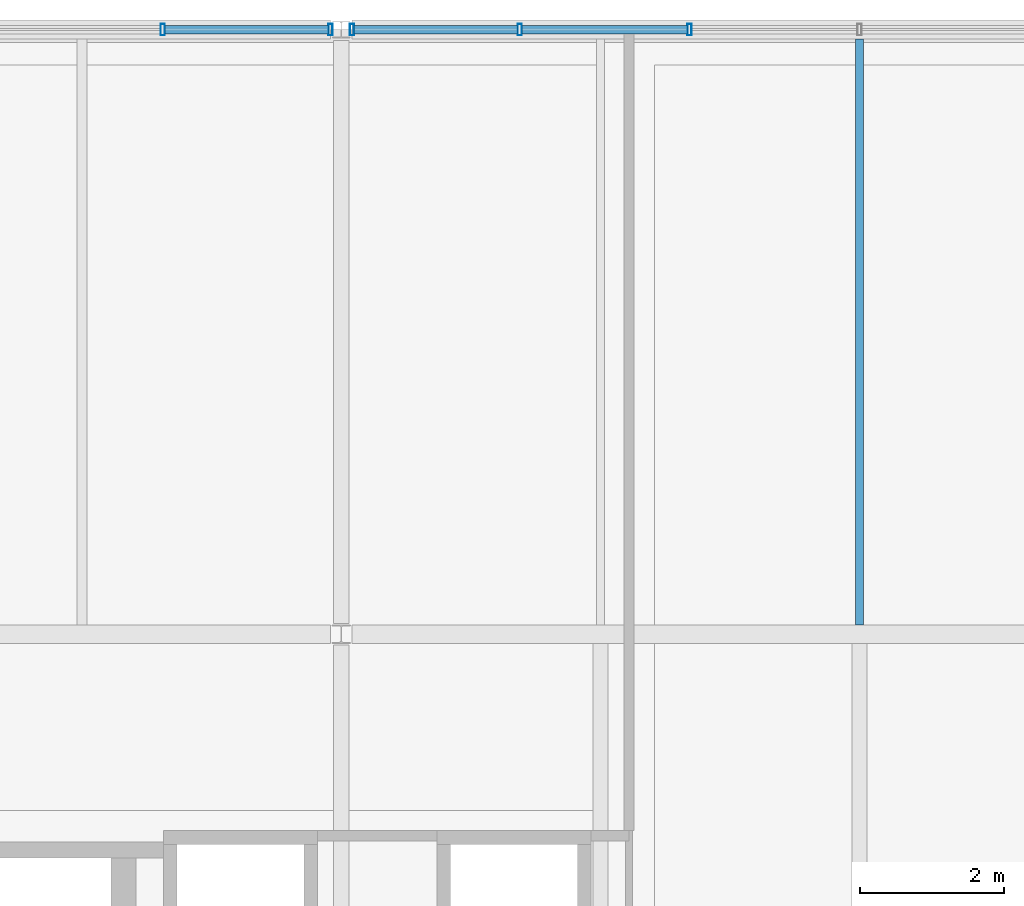
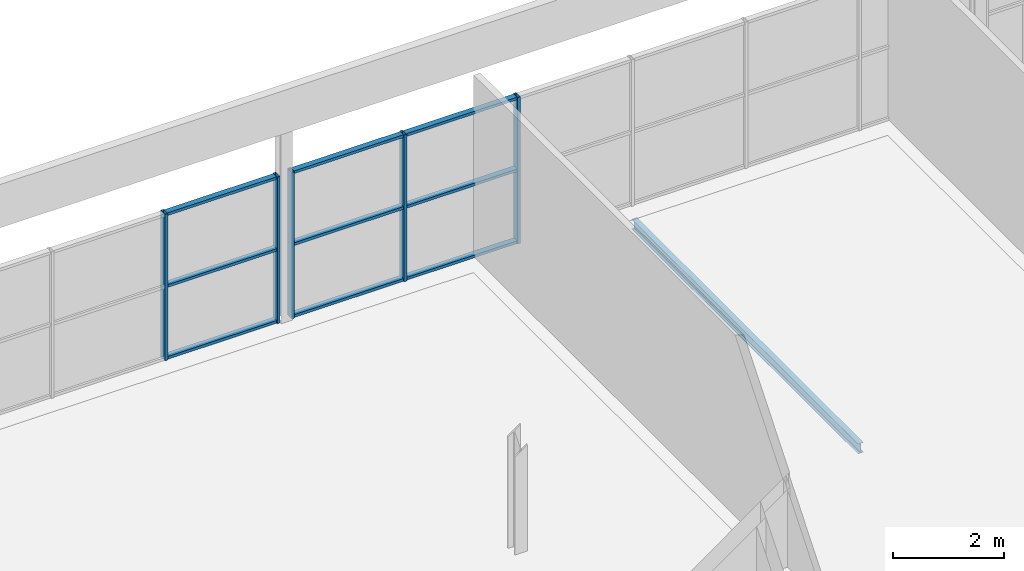
# One storey, part 21 of 43: 14 members, 1 beam, 2 elements without a shape of their own.
"""IFC4 building model written with IfcOpenShell, lengths in metres."""

from ifc_helpers import new_model, si_unit, direction, frame, origin, origin_2d, place, context, subcontext, project, spatial, hollow_rectangle, i_section, extrude, material, material_profile, profile_set, type_object, element, aggregate, save


model = new_model("IFC4")

# Units and contexts
model_context = context("Model", 3, precision=1e-05, world=origin(), true_north=direction((0.0, 1.0)))
body_context = subcontext(model_context, "Body", "Model", "MODEL_VIEW")
ifc_project = project(units=[si_unit("LENGTHUNIT", "METRE"), si_unit("AREAUNIT", "SQUARE_METRE"), si_unit("VOLUMEUNIT", "CUBIC_METRE"), si_unit("PLANEANGLEUNIT", "RADIAN"), si_unit("MASSUNIT", "GRAM", prefix="KILO"), si_unit("THERMODYNAMICTEMPERATUREUNIT", "KELVIN")], contexts=[model_context])

# Site, building, storey
site_placement = place(None, origin())
site = spatial("IfcSite", under=ifc_project, at=site_placement, CompositionType="ELEMENT")
building_placement = place(site_placement, origin())
building = spatial("IfcBuilding", under=site, at=building_placement, Name="Nduvali Passage Aquatics Centre", CompositionType="ELEMENT")
storey_placement = place(building_placement, frame((0.0, 0.0, 17.39990234375)))
storey = spatial("IfcBuildingStorey", under=building, at=storey_placement, Name="L04", CompositionType="ELEMENT", Elevation=17.39990234375)

# Curtain wall, members
ifc_material_1 = material(Name="Aluminium EN AW-6063 T6", Category="aluminium")
curtain_wall_type = type_object("IfcCurtainWallType", Name="ENV-CW-WELL", PredefinedType="NOTDEFINED", material=ifc_material_1)
curtain_wall_1_placement = place(storey_placement, origin())
curtain_wall_1 = element("IfcCurtainWall", 1, at=curtain_wall_1_placement, inside=storey, type_object=curtain_wall_type, Name="L04 North Avenue Recovery Lounge CW 106", PredefinedType="NOTDEFINED")
ifc_material_profile_1 = material_profile(ifc_material_1, hollow_rectangle(XDim=0.06005859375, YDim=0.159912109375, WallThickness=0.00390625, at=origin_2d()), Name="ALU MULLION 60x160x4")
ifc_profile_set_1 = profile_set([ifc_material_profile_1], Name="Aluminium EN AW-6063 T6")
member_type_1 = type_object("IfcMemberType", Name="ENV-MEM-MUL60", PredefinedType="MULLION", material=ifc_profile_set_1)
member_1_placement = place(storey_placement, frame((80.320068359375, 117.60009765625, 0.0), z_axis=(0.0, 0.0, 1.0), x_axis=(1.0, 0.0, 0.0)))
member_1 = element("IfcMember", 2, at=member_1_placement, type_object=member_type_1, Name="North Avenue Recovery Lounge CW Mullion 6", PredefinedType="MULLION", context=body_context, shape_type="SweptSolid", body=[
    extrude(hollow_rectangle(XDim=0.06005859375, YDim=0.159912109375, WallThickness=0.00390625, at=origin_2d()), origin(), (0.0, 0.0, 1.0), 3.2138671875),
])
member_2_placement = place(storey_placement, frame((82.64990234375, 117.60009765625, 0.0), z_axis=(0.0, 0.0, 1.0), x_axis=(1.0, 0.0, 0.0)))
member_2 = element("IfcMember", 3, at=member_2_placement, type_object=member_type_1, Name="North Avenue Recovery Lounge CW Mullion 7", PredefinedType="MULLION", context=body_context, shape_type="SweptSolid", body=[
    extrude(hollow_rectangle(XDim=0.06005859375, YDim=0.159912109375, WallThickness=0.00390625, at=origin_2d()), origin(), (0.0, 0.0, 1.0), 3.2138671875),
])

curtain_wall_2_placement = place(storey_placement, origin())
curtain_wall_2 = element("IfcCurtainWall", 4, at=curtain_wall_2_placement, inside=storey, type_object=curtain_wall_type, Name="L04 North Avenue Recovery Lounge CW 111", PredefinedType="NOTDEFINED")
member_3_placement = place(storey_placement, frame((82.949951171875, 117.60009765625, 0.0), z_axis=(0.0, 0.0, 1.0), x_axis=(1.0, 0.0, 0.0)))
member_3 = element("IfcMember", 5, at=member_3_placement, type_object=member_type_1, Name="North Avenue Recovery Lounge CW Mullion 1", PredefinedType="MULLION", context=body_context, shape_type="SweptSolid", body=[
    extrude(hollow_rectangle(XDim=0.06005859375, YDim=0.159912109375, WallThickness=0.00390625, at=origin_2d()), origin(), (0.0, 0.0, 1.0), 3.2138671875),
])
member_4_placement = place(storey_placement, frame((85.280029296875, 117.60009765625, 0.0), z_axis=(0.0, 0.0, 1.0), x_axis=(1.0, 0.0, 0.0)))
member_4 = element("IfcMember", 6, at=member_4_placement, type_object=member_type_1, Name="North Avenue Recovery Lounge CW Mullion 2", PredefinedType="MULLION", context=body_context, shape_type="SweptSolid", body=[
    extrude(hollow_rectangle(XDim=0.06005859375, YDim=0.159912109375, WallThickness=0.00390625, at=origin_2d()), origin(), (0.0, 0.0, 1.0), 3.2138671875),
])
member_5_placement = place(storey_placement, frame((87.639892578125, 117.60009765625, 0.0), z_axis=(0.0, 0.0, 1.0), x_axis=(1.0, 0.0, 0.0)))
member_5 = element("IfcMember", 7, at=member_5_placement, type_object=member_type_1, Name="North Avenue Recovery Lounge CW Mullion 3", PredefinedType="MULLION", context=body_context, shape_type="SweptSolid", body=[
    extrude(hollow_rectangle(XDim=0.06005859375, YDim=0.159912109375, WallThickness=0.00390625, at=origin_2d()), origin(), (0.0, 0.0, 1.0), 3.2138671875),
])

# Member
ifc_material_profile_2 = material_profile(ifc_material_1, hollow_rectangle(XDim=0.1201171875, YDim=0.06005859375, WallThickness=0.00390625, at=origin_2d()), Name="ALU TRANSOM 120x60x4")
ifc_profile_set_2 = profile_set([ifc_material_profile_2], Name="Aluminium EN AW-6063 T6")
member_type_2 = type_object("IfcMemberType", Name="ENV-MEM-TRN60", PredefinedType="USERDEFINED", material=ifc_profile_set_2)
member_6_placement = place(storey_placement, frame((80.35009765625, 117.60009765625, 0.030029296875), z_axis=(1.0, 0.0, 0.0), x_axis=(0.0, 1.0, 0.0)))
member_6 = element("IfcMember", 8, at=member_6_placement, type_object=member_type_2, Name="North Avenue Recovery Lounge CW Transom B6-R0", ObjectType="TRANSOM", PredefinedType="USERDEFINED", context=body_context, shape_type="SweptSolid", body=[
    extrude(hollow_rectangle(XDim=0.1201171875, YDim=0.06005859375, WallThickness=0.00390625, at=origin_2d()), origin(), (0.0, 0.0, 1.0), 2.27001953125),
])

member_7_placement = place(storey_placement, frame((80.35009765625, 117.60009765625, 1.60693359375), z_axis=(1.0, 0.0, 0.0), x_axis=(0.0, 1.0, 0.0)))
member_7 = element("IfcMember", 9, at=member_7_placement, type_object=member_type_2, Name="North Avenue Recovery Lounge CW Transom B6-R1", ObjectType="TRANSOM", PredefinedType="USERDEFINED", context=body_context, shape_type="SweptSolid", body=[
    extrude(hollow_rectangle(XDim=0.1201171875, YDim=0.06005859375, WallThickness=0.00390625, at=origin_2d()), origin(), (0.0, 0.0, 1.0), 2.27001953125),
])

member_8_placement = place(storey_placement, frame((80.35009765625, 117.60009765625, 3.183837890625), z_axis=(1.0, 0.0, 0.0), x_axis=(0.0, 1.0, 0.0)))
member_8 = element("IfcMember", 10, at=member_8_placement, type_object=member_type_2, Name="North Avenue Recovery Lounge CW Transom B6-R2", ObjectType="TRANSOM", PredefinedType="USERDEFINED", context=body_context, shape_type="SweptSolid", body=[
    extrude(hollow_rectangle(XDim=0.1201171875, YDim=0.06005859375, WallThickness=0.00390625, at=origin_2d()), origin(), (0.0, 0.0, 1.0), 2.27001953125),
])

aggregate(curtain_wall_1, [member_1, member_2, member_6, member_7, member_8])

member_9_placement = place(storey_placement, frame((82.97998046875, 117.60009765625, 0.030029296875), z_axis=(1.0, 0.0, 0.0), x_axis=(0.0, 1.0, 0.0)))
member_9 = element("IfcMember", 11, at=member_9_placement, type_object=member_type_2, Name="North Avenue Recovery Lounge CW Transom B1-R0", ObjectType="TRANSOM", PredefinedType="USERDEFINED", context=body_context, shape_type="SweptSolid", body=[
    extrude(hollow_rectangle(XDim=0.1201171875, YDim=0.06005859375, WallThickness=0.00390625, at=origin_2d()), origin(), (0.0, 0.0, 1.0), 2.27001953125),
])

member_10_placement = place(storey_placement, frame((82.97998046875, 117.60009765625, 1.60693359375), z_axis=(1.0, 0.0, 0.0), x_axis=(0.0, 1.0, 0.0)))
member_10 = element("IfcMember", 12, at=member_10_placement, type_object=member_type_2, Name="North Avenue Recovery Lounge CW Transom B1-R1", ObjectType="TRANSOM", PredefinedType="USERDEFINED", context=body_context, shape_type="SweptSolid", body=[
    extrude(hollow_rectangle(XDim=0.1201171875, YDim=0.06005859375, WallThickness=0.00390625, at=origin_2d()), origin(), (0.0, 0.0, 1.0), 2.27001953125),
])

member_11_placement = place(storey_placement, frame((82.97998046875, 117.60009765625, 3.183837890625), z_axis=(1.0, 0.0, 0.0), x_axis=(0.0, 1.0, 0.0)))
member_11 = element("IfcMember", 13, at=member_11_placement, type_object=member_type_2, Name="North Avenue Recovery Lounge CW Transom B1-R2", ObjectType="TRANSOM", PredefinedType="USERDEFINED", context=body_context, shape_type="SweptSolid", body=[
    extrude(hollow_rectangle(XDim=0.1201171875, YDim=0.06005859375, WallThickness=0.00390625, at=origin_2d()), origin(), (0.0, 0.0, 1.0), 2.27001953125),
])

member_12_placement = place(storey_placement, frame((85.31005859375, 117.60009765625, 0.030029296875), z_axis=(1.0, 0.0, 0.0), x_axis=(0.0, 1.0, 0.0)))
member_12 = element("IfcMember", 14, at=member_12_placement, type_object=member_type_2, Name="North Avenue Recovery Lounge CW Transom B2-R0", ObjectType="TRANSOM", PredefinedType="USERDEFINED", context=body_context, shape_type="SweptSolid", body=[
    extrude(hollow_rectangle(XDim=0.1201171875, YDim=0.06005859375, WallThickness=0.00390625, at=origin_2d()), origin(), (0.0, 0.0, 1.0), 2.300048828125),
])

member_13_placement = place(storey_placement, frame((85.31005859375, 117.60009765625, 1.60693359375), z_axis=(1.0, 0.0, 0.0), x_axis=(0.0, 1.0, 0.0)))
member_13 = element("IfcMember", 15, at=member_13_placement, type_object=member_type_2, Name="North Avenue Recovery Lounge CW Transom B2-R1", ObjectType="TRANSOM", PredefinedType="USERDEFINED", context=body_context, shape_type="SweptSolid", body=[
    extrude(hollow_rectangle(XDim=0.1201171875, YDim=0.06005859375, WallThickness=0.00390625, at=origin_2d()), origin(), (0.0, 0.0, 1.0), 2.300048828125),
])

member_14_placement = place(storey_placement, frame((85.31005859375, 117.60009765625, 3.183837890625), z_axis=(1.0, 0.0, 0.0), x_axis=(0.0, 1.0, 0.0)))
member_14 = element("IfcMember", 16, at=member_14_placement, type_object=member_type_2, Name="North Avenue Recovery Lounge CW Transom B2-R2", ObjectType="TRANSOM", PredefinedType="USERDEFINED", context=body_context, shape_type="SweptSolid", body=[
    extrude(hollow_rectangle(XDim=0.1201171875, YDim=0.06005859375, WallThickness=0.00390625, at=origin_2d()), origin(), (0.0, 0.0, 1.0), 2.300048828125),
])

aggregate(curtain_wall_2, [member_3, member_4, member_5, member_9, member_10, member_11, member_12, member_13, member_14])

# Beam
ifc_material_2 = material(Name="Steel S355", Category="steel")
ifc_material_profile_3 = material_profile(ifc_material_2, i_section(OverallWidth=0.110107421875, OverallDepth=0.219970703125, WebThickness=0.005859375, FlangeThickness=0.00927734375, FilletRadius=0.011962890625, at=origin_2d()), Name="IPE 220")
ifc_profile_set_3 = profile_set([ifc_material_profile_3], Name="Steel S355")
beam_type = type_object("IfcBeamType", Name="STR-JST-IPE220", PredefinedType="JOIST", material=ifc_profile_set_3)
beam_placement = place(storey_placement, frame((90.0, 109.326904296875, -0.343994140625), z_axis=(0.0, 1.0, 0.0), x_axis=(-1.0, 0.0, 0.0)))
element("IfcBeam", 17, at=beam_placement, inside=storey, type_object=beam_type, Name="L04 Secondary Joist J9-1432", PredefinedType="JOIST", context=body_context, shape_type="SweptSolid", body=[
    extrude(i_section(OverallWidth=0.110107421875, OverallDepth=0.219970703125, WebThickness=0.005859375, FlangeThickness=0.00927734375, FilletRadius=0.011962890625, at=origin_2d()), origin(), (0.0, 0.0, 1.0), 8.139892578125),
])

save(model, "model.ifc")
